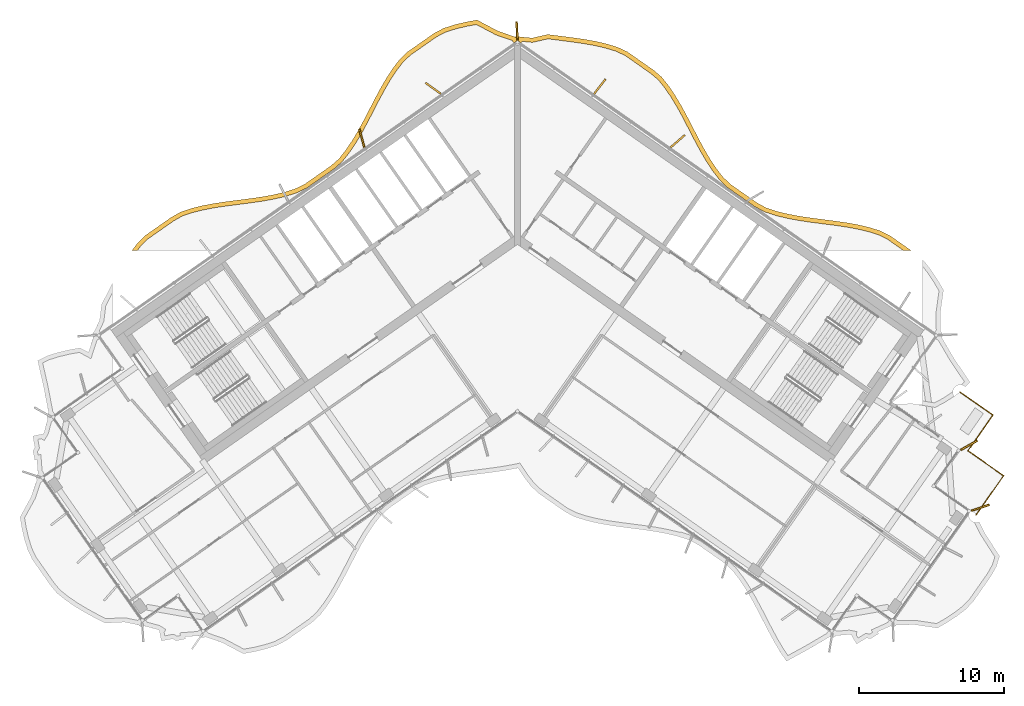
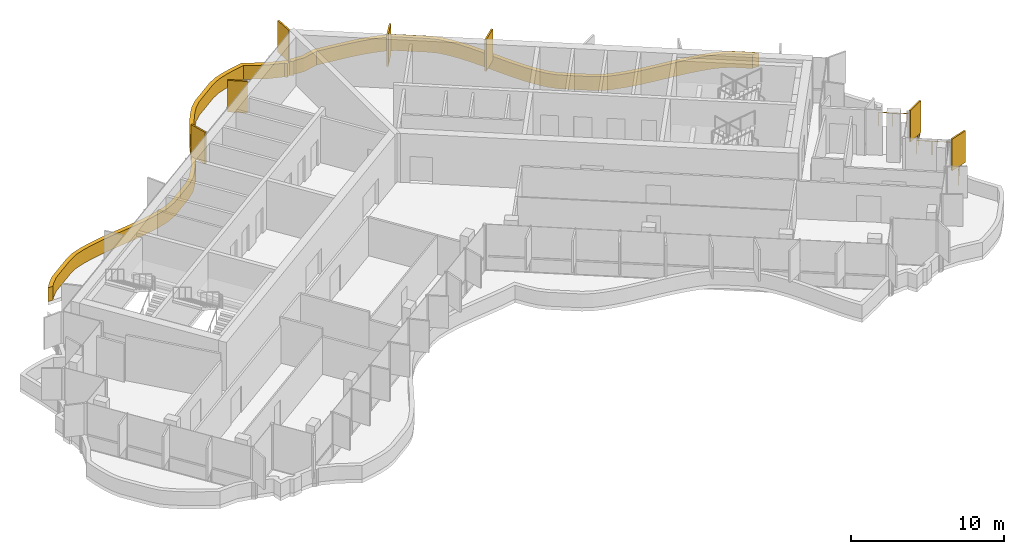
# One storey, part 19 of 20: 8 shading devices, 1 railing.
"""IFC4 building model written with IfcOpenShell, lengths in metres."""

from ifc_helpers import new_model, si_unit, direction, frame, origin, origin_2d, place, context, subcontext, project, spatial, polyline, rectangle, circle, outline, extrude, material, layer, layer_set, type_object, element, save


model = new_model("IFC4")

# Units and contexts
model_context = context("Model", 3, precision=1e-05, world=origin(), true_north=direction((0.0, 1.0)))
body_context = subcontext(model_context, "Body", "Model", "MODEL_VIEW")
ifc_project = project(units=[si_unit("LENGTHUNIT", "METRE"), si_unit("AREAUNIT", "SQUARE_METRE"), si_unit("VOLUMEUNIT", "CUBIC_METRE"), si_unit("PLANEANGLEUNIT", "RADIAN"), si_unit("MASSUNIT", "GRAM", prefix="KILO")], contexts=[model_context])

# Site, building, storey
site_placement = place(None, origin())
site = spatial("IfcSite", under=ifc_project, at=site_placement, CompositionType="ELEMENT")
building_placement = place(site_placement, origin())
building = spatial("IfcBuilding", under=site, at=building_placement, Name="Tel Ilan Convention Tower", CompositionType="ELEMENT")
storey_placement = place(building_placement, frame((0.0, 0.0, 248.800048828125)))
storey = spatial("IfcBuildingStorey", under=building, at=storey_placement, Name="L58", CompositionType="ELEMENT", Elevation=248.800048828125)

# Shading devices
ifc_material_1 = material(Name="Aluminium, bronze anodised", Category="aluminium")
ifc_layer_1 = layer(ifc_material_1, 0.1201171875)
ifc_layer_set_1 = layer_set([ifc_layer_1], Name="FIN BRONZE 1300x120")
shading_device_type_1 = type_object("IfcShadingDeviceType", Name="FIN BRONZE 1300x120", PredefinedType="USERDEFINED", material=ifc_layer_set_1)
for number, where, z_axis, x_axis, name in (
    (1, (11.028076171875, 5.88330078125, 1.099853515625), (0.0, 0.0, 1.0), (0.753435896329, 0.657521368568, 0.0), "FIN"),
    (2, (5.664794921875, 9.647216796875, 1.099853515625), (0.0, 0.0, 1.0), (0.612600545196, 0.790392669516, 0.0), "FIN"),
    (3, (-0.031494140625, 13.4697265625, 1.099853515625), (0.0, 0.0, 1.0), (-0.048462378231, 0.998825008646, 0.0), "FIN"),
    (4, (-5.80517578125, 9.525390625, 1.099853515625), (0.0, 0.0, 1.0), (-0.813552070258, 0.581492071294, 0.0), "FIN"),
    (5, (-10.716064453125, 6.086669921875, 1.099853515625), (0.0, 0.0, 1.0), (-0.268172612768, 0.963370878614, 0.0), "FIN"),
    (6, (31.859619140625, -19.345458984375, 1.099853515625), (0.0, 0.0, 1.0), (0.949242643575, 0.314544756146, 0.0), "FIN"),
    (7, (31.0830078125, -15.050048828125, 1.099853515625), (0.0, 0.0, 1.0), (0.870832754082, 0.491579408049, 0.0), "FIN"),
):
    element("IfcShadingDevice", number, at=place(storey_placement, frame(where, z_axis=z_axis, x_axis=x_axis)), inside=storey, type_object=shading_device_type_1, Name=name, ObjectType="FIN", PredefinedType="USERDEFINED", context=body_context, shape_type="SweptSolid", body=[
        extrude(rectangle(XDim=1.300048828125, YDim=0.1201171875, at=origin_2d()), origin(), (0.0, 0.0, 1.0), 2.52001953125),
    ])
ifc_material_2 = material(Name="Aluminium, bronze anodised", Category="aluminium")
ifc_layer_2 = layer(ifc_material_2, 0.300048828125)
ifc_layer_set_2 = layer_set([ifc_layer_2], Name="LOUVRE BAND 300x1100")
shading_device_type_2 = type_object("IfcShadingDeviceType", Name="LOUVRE BAND 300x1100", PredefinedType="USERDEFINED", material=ifc_layer_set_2)
shading_device_placement = place(storey_placement, origin())
element("IfcShadingDevice", 8, at=shading_device_placement, inside=storey, type_object=shading_device_type_2, Name="LOUVRE BAND 45.04", ObjectType="LOUVRE", PredefinedType="USERDEFINED", context=body_context, shape_type="SweptSolid", body=[
    extrude(outline(polyline([(-26.1787109375, -1.1572265625), (-26.535888671875, -1.631591796875), (-26.160400390625, -1.631591796875), (-25.951416015625, -1.35400390625), (-25.457275390625, -0.856689453125), (-23.680908203125, 0.38720703125), (-23.075439453125, 0.7314453125), (-22.38525390625, 0.962158203125), (-21.640625, 1.14990234375), (-20.86181640625, 1.298828125), (-20.0576171875, 1.420166015625), (-18.409423828125, 1.63232421875), (-17.585205078125, 1.750732421875), (-16.773193359375, 1.89599609375), (-15.982666015625, 2.081298828125), (-15.212646484375, 2.320556640625), (-14.499267578125, 2.665771484375), (-12.656005859375, 3.956298828125), (-12.066162109375, 4.474609375), (-11.566650390625, 5.110107421875), (-11.115234375, 5.78173828125), (-10.696044921875, 6.4892578125), (-10.29931640625, 7.220458984375), (-9.535400390625, 8.69873046875), (-9.148681640625, 9.41796875), (-8.746337890625, 10.106201171875), (-8.320556640625, 10.751220703125), (-7.871337890625, 11.33544921875), (-7.3623046875, 11.813720703125), (-5.585693359375, 13.0576171875), (-4.96826171875, 13.382568359375), (-4.27001953125, 13.607666015625), (-3.520751953125, 13.78955078125), (-2.834228515625, 13.914794921875), (-1.477294921875, 13.19677734375), (-0.362060546875, 12.81201171875), (-0.24609375, 12.646728515625), (0.0, 12.818115234375), (0.24609375, 12.646728515625), (0.318603515625, 12.75), (1.040771484375, 12.687744140625), (2.10400390625, 12.9296875), (3.699462890625, 12.72509765625), (4.510009765625, 12.60986328125), (5.2978515625, 12.47119140625), (6.054443359375, 12.297119140625), (6.765625, 12.080078125), (7.40185546875, 11.785888671875), (9.17822265625, 10.5419921875), (9.708740234375, 10.0908203125), (10.16162109375, 9.521240234375), (10.5927734375, 8.885498046875), (10.9990234375, 8.204833984375), (11.38818359375, 7.49072265625), (12.151123046875, 6.014404296875), (12.54443359375, 5.2802734375), (12.958740234375, 4.567138671875), (13.403076171875, 3.8876953125), (13.891357421875, 3.245849609375), (14.459716796875, 2.693359375), (16.302978515625, 1.40283203125), (16.991455078125, 1.02587890625), (17.759521484375, 0.773681640625), (18.544921875, 0.579345703125), (19.353271484375, 0.42724609375), (20.176025390625, 0.3046875), (21.826416015625, 0.092529296875), (22.634765625, -0.025146484375), (23.4189453125, -0.167724609375), (24.1708984375, -0.34716796875), (24.873291015625, -0.569580078125), (25.496826171875, -0.88427734375), (26.56396484375, -1.631591796875), (27.087158203125, -1.631591796875), (25.6513671875, -0.626220703125), (24.987060546875, -0.290771484375), (24.2509765625, -0.057861328125), (23.480712890625, 0.1259765625), (22.68310546875, 0.27099609375), (21.8671875, 0.3896484375), (20.21728515625, 0.601806640625), (19.4033203125, 0.72314453125), (18.60888671875, 0.87255859375), (17.842529296875, 1.062255859375), (17.111328125, 1.30224609375), (16.46142578125, 1.657958984375), (14.6513671875, 2.92529296875), (14.116455078125, 3.4453125), (13.648193359375, 4.060791015625), (13.214111328125, 4.724609375), (12.806396484375, 5.426513671875), (12.416748046875, 6.154052734375), (11.653076171875, 7.631591796875), (11.259521484375, 8.353515625), (10.845947265625, 9.046875), (10.403564453125, 9.69921875), (9.925537109375, 10.300537109375), (9.36181640625, 10.77978515625), (7.552001953125, 12.047119140625), (6.872802734375, 12.361083984375), (6.132080078125, 12.587158203125), (5.357666015625, 12.765380859375), (4.55712890625, 12.90625), (3.739501953125, 13.0224609375), (2.08935546875, 13.234130859375), (1.02001953125, 12.99072265625), (0.168701171875, 13.059326171875), (0.11474609375, 13.09521484375), (0.0, 13.1181640625), (-0.11474609375, 13.09521484375), (-0.168701171875, 13.059326171875), (-1.357666015625, 13.472900390625), (-2.785888671875, 14.228515625), (-3.5830078125, 14.083251953125), (-4.3515625, 13.896484375), (-5.0849609375, 13.66015625), (-5.7421875, 13.314453125), (-7.552001953125, 12.047119140625), (-8.09423828125, 11.53759765625), (-8.56494140625, 10.925537109375), (-9.001220703125, 10.264404296875), (-9.410400390625, 9.564697265625), (-9.801025390625, 8.838623046875), (-10.564453125, 7.36083984375), (-10.95703125, 6.63720703125), (-11.369140625, 5.94189453125), (-11.809326171875, 5.28662109375), (-12.284912109375, 4.681640625), (-12.841552734375, 4.192626953125), (-14.6513671875, 2.92529296875), (-15.3232421875, 2.6005859375), (-16.0615234375, 2.370849609375), (-16.833984375, 2.18994140625), (-17.6328125, 2.046875), (-18.44970703125, 1.9296875), (-20.099365234375, 1.71728515625), (-20.91259765625, 1.594482421875), (-21.705322265625, 1.44287109375), (-22.4697265625, 1.250244140625), (-23.1982421875, 1.0068359375), (-23.84130859375, 0.64111328125), (-25.6513671875, -0.626220703125), (-26.1787109375, -1.1572265625)])), origin(), (0.0, 0.0, 1.0), 1.099853515625),
])

# Railing
ifc_material_3 = material(Name="Stainless steel S316", Category="steel")
railing_type = type_object("IfcRailingType", Name="TERRACE GUARD 1100", PredefinedType="GUARDRAIL", material=ifc_material_3)
railing_placement = place(storey_placement, frame((30.47412109375, -11.388916015625, 0.0)))
element("IfcRailing", 9, at=railing_placement, inside=storey, type_object=railing_type, Name="Terrace guard 45.01", PredefinedType="GUARDRAIL", context=body_context, shape_type="SweptSolid", body=[
    extrude(circle(Radius=0.02490234375, at=origin_2d()), frame((0.0, 0.0, 1.0751953125), z_axis=(0.819152805282, -0.573575349539, 0.0), x_axis=(0.573575349539, 0.819152805282, 0.0)), (0.0, 0.0, 1.0), 2.7548828125),
    extrude(circle(Radius=0.02490234375, at=origin_2d()), frame((2.256591796875, -1.580078125, 1.0751953125), z_axis=(-0.573560650686, -0.819163097304, 0.0), x_axis=(0.819163097304, -0.573560650686, 0.0)), (0.0, 0.0, 1.0), 3.0),
    extrude(circle(Radius=0.02490234375, at=origin_2d()), frame((0.535888671875, -4.03759765625, 1.0751953125), z_axis=(0.819136323161, -0.573598887793, 0.0), x_axis=(0.573598887793, 0.819136323161, 0.0)), (0.0, 0.0, 1.0), 2.999755859375),
    extrude(circle(Radius=0.02490234375, at=origin_2d()), frame((2.9931640625, -5.75830078125, 1.0751953125), z_axis=(-0.573596073506, -0.819138293855, 0.0), x_axis=(0.819138293855, -0.573596073506, 0.0)), (0.0, 0.0, 1.0), 3.30810546875),
    extrude(circle(Radius=0.02490234375, at=origin_2d()), origin(), (0.0, 0.0, 1.0), 1.050048828125),
    extrude(circle(Radius=0.02490234375, at=origin_2d()), frame((0.752197265625, -0.526611328125, 0.0)), (0.0, 0.0, 1.0), 1.050048828125),
    extrude(circle(Radius=0.02490234375, at=origin_2d()), frame((1.50439453125, -1.053466796875, 0.0)), (0.0, 0.0, 1.0), 1.050048828125),
    extrude(circle(Radius=0.02490234375, at=origin_2d()), frame((2.256591796875, -1.580078125, 0.0)), (0.0, 0.0, 1.0), 1.050048828125),
    extrude(circle(Radius=0.02490234375, at=origin_2d()), frame((1.68310546875, -2.399169921875, 0.0)), (0.0, 0.0, 1.0), 1.050048828125),
    extrude(circle(Radius=0.02490234375, at=origin_2d()), frame((1.109375, -3.218505859375, 0.0)), (0.0, 0.0, 1.0), 1.050048828125),
    extrude(circle(Radius=0.02490234375, at=origin_2d()), frame((0.535888671875, -4.03759765625, 0.0)), (0.0, 0.0, 1.0), 1.050048828125),
    extrude(circle(Radius=0.02490234375, at=origin_2d()), frame((1.35498046875, -4.611083984375, 0.0)), (0.0, 0.0, 1.0), 1.050048828125),
    extrude(circle(Radius=0.02490234375, at=origin_2d()), frame((2.174072265625, -5.184814453125, 0.0)), (0.0, 0.0, 1.0), 1.050048828125),
    extrude(circle(Radius=0.02490234375, at=origin_2d()), frame((2.9931640625, -5.75830078125, 0.0)), (0.0, 0.0, 1.0), 1.050048828125),
    extrude(circle(Radius=0.02490234375, at=origin_2d()), frame((2.360595703125, -6.66162109375, 0.0)), (0.0, 0.0, 1.0), 1.050048828125),
    extrude(circle(Radius=0.02490234375, at=origin_2d()), frame((1.728271484375, -7.564697265625, 0.0)), (0.0, 0.0, 1.0), 1.050048828125),
    extrude(circle(Radius=0.02490234375, at=origin_2d()), frame((1.095703125, -8.468017578125, 0.0)), (0.0, 0.0, 1.0), 1.050048828125),
])

save(model, "model.ifc")
